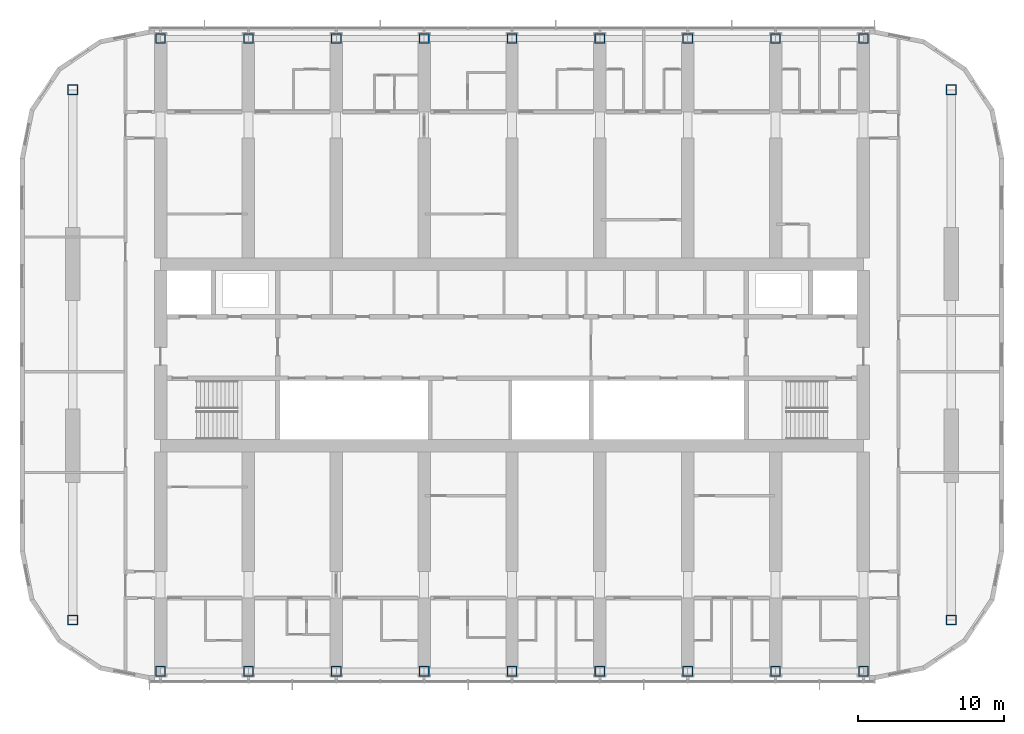
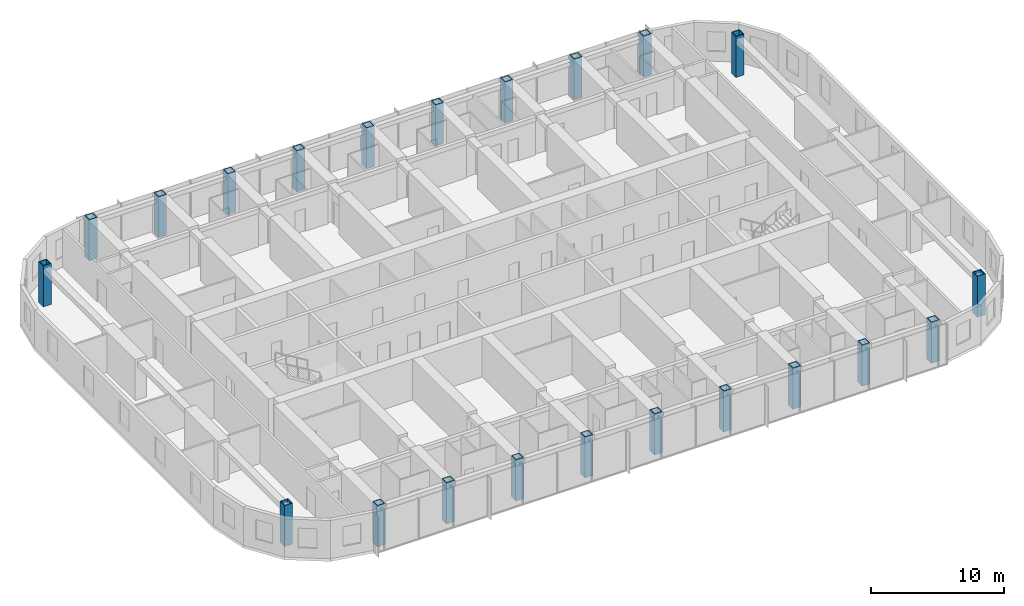
# One storey, part 1 of 23: 22 columns.
"""IFC4 building model written with IfcOpenShell, lengths in metres."""

from ifc_helpers import new_model, si_unit, direction, frame, origin, origin_2d, place, context, subcontext, project, spatial, hollow_rectangle, extrude, material, material_profile, profile_set, type_object, element, save


model = new_model("IFC4")

# Units and contexts
model_context = context("Model", 3, precision=1e-05, world=origin(), true_north=direction((0.0, 1.0)))
body_context = subcontext(model_context, "Body", "Model", "MODEL_VIEW")
ifc_project = project(units=[si_unit("LENGTHUNIT", "METRE"), si_unit("AREAUNIT", "SQUARE_METRE"), si_unit("VOLUMEUNIT", "CUBIC_METRE"), si_unit("PLANEANGLEUNIT", "RADIAN"), si_unit("MASSUNIT", "GRAM", prefix="KILO")], contexts=[model_context])

# Site, building, storey
site_placement = place(None, origin())
site = spatial("IfcSite", under=ifc_project, at=site_placement, CompositionType="ELEMENT")
building_placement = place(site_placement, origin())
building = spatial("IfcBuilding", under=site, at=building_placement, Name="Orbita Commons", CompositionType="ELEMENT")
storey_placement = place(building_placement, frame((0.0, 0.0, 171.10009765625)))
storey = spatial("IfcBuildingStorey", under=building, at=storey_placement, Name="L42", CompositionType="ELEMENT", Elevation=171.10009765625)

# Columns
ifc_material = material(Name="Steel ASTM A572 Gr 50 welded plate", Category="steel")
ifc_material_profile = material_profile(ifc_material, hollow_rectangle(XDim=0.699951171875, YDim=0.699951171875, WallThickness=0.070068359375, at=origin_2d()), Name="BOX 700x700x70")
ifc_profile_set = profile_set([ifc_material_profile], Name="Steel ASTM A572 Gr 50 welded plate")
column_type = type_object("IfcColumnType", Name="Steel column BOX 700x700x70", PredefinedType="COLUMN", material=ifc_profile_set)
for number, where, z_axis, x_axis, name in (
    (1, (18.0, 10.39990234375, 0.0), (0.0, 0.0, 1.0), (1.0, 0.0, 0.0), "Column 4/B L42"),
    (2, (18.0, 53.60009765625, 0.0), (0.0, 0.0, 1.0), (1.0, 0.0, 0.0), "Column 4/E L42"),
    (3, (24.0, 10.39990234375, 0.0), (0.0, 0.0, 1.0), (1.0, 0.0, 0.0), "Column 5/B L42"),
    (4, (24.0, 53.60009765625, 0.0), (0.0, 0.0, 1.0), (1.0, 0.0, 0.0), "Column 5/E L42"),
    (5, (30.0, 10.39990234375, 0.0), (0.0, 0.0, 1.0), (1.0, 0.0, 0.0), "Column 6/B L42"),
    (6, (30.0, 53.60009765625, 0.0), (0.0, 0.0, 1.0), (1.0, 0.0, 0.0), "Column 6/E L42"),
    (7, (36.0, 10.39990234375, 0.0), (0.0, 0.0, 1.0), (1.0, 0.0, 0.0), "Column 7/B L42"),
    (8, (36.0, 53.60009765625, 0.0), (0.0, 0.0, 1.0), (1.0, 0.0, 0.0), "Column 7/E L42"),
    (9, (42.0, 10.39990234375, 0.0), (0.0, 0.0, 1.0), (1.0, 0.0, 0.0), "Column 8/B L42"),
    (10, (42.0, 53.60009765625, 0.0), (0.0, 0.0, 1.0), (1.0, 0.0, 0.0), "Column 8/E L42"),
    (11, (48.0, 10.39990234375, 0.0), (0.0, 0.0, 1.0), (1.0, 0.0, 0.0), "Column 9/B L42"),
    (12, (48.0, 53.60009765625, 0.0), (0.0, 0.0, 1.0), (1.0, 0.0, 0.0), "Column 9/E L42"),
    (13, (54.0, 10.39990234375, 0.0), (0.0, 0.0, 1.0), (1.0, 0.0, 0.0), "Column 10/B L42"),
    (14, (54.0, 53.60009765625, 0.0), (0.0, 0.0, 1.0), (1.0, 0.0, 0.0), "Column 10/E L42"),
    (15, (60.0, 10.39990234375, 0.0), (0.0, 0.0, 1.0), (1.0, 0.0, 0.0), "Column 11/B L42"),
    (16, (60.0, 53.60009765625, 0.0), (0.0, 0.0, 1.0), (1.0, 0.0, 0.0), "Column 11/E L42"),
    (17, (66.0, 10.39990234375, 0.0), (0.0, 0.0, 1.0), (1.0, 0.0, 0.0), "Column 12/B L42"),
    (18, (66.0, 53.60009765625, 0.0), (0.0, 0.0, 1.0), (1.0, 0.0, 0.0), "Column 12/E L42"),
    (19, (12.0, 13.89990234375, 0.0), (0.0, 0.0, 1.0), (1.0, 0.0, 0.0), "Column 3/13.9 L42"),
    (20, (12.0, 50.10009765625, 0.0), (0.0, 0.0, 1.0), (1.0, 0.0, 0.0), "Column 3/50.1 L42"),
    (21, (72.0, 13.89990234375, 0.0), (0.0, 0.0, 1.0), (1.0, 0.0, 0.0), "Column 13/13.9 L42"),
    (22, (72.0, 50.10009765625, 0.0), (0.0, 0.0, 1.0), (1.0, 0.0, 0.0), "Column 13/50.1 L42"),
):
    element("IfcColumn", number, at=place(storey_placement, frame(where, z_axis=z_axis, x_axis=x_axis)), inside=storey, type_object=column_type, Name=name, PredefinedType="COLUMN", context=body_context, shape_type="SweptSolid", body=[
        extrude(hollow_rectangle(XDim=0.699951171875, YDim=0.699951171875, WallThickness=0.070068359375, at=origin_2d()), origin(), (0.0, 0.0, 1.0), 3.75),
    ])

save(model, "model.ifc")
